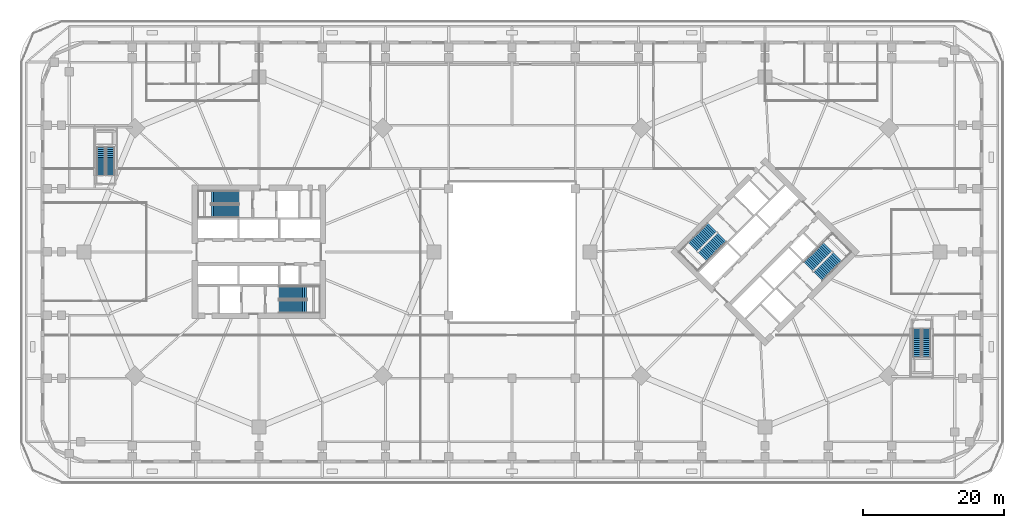
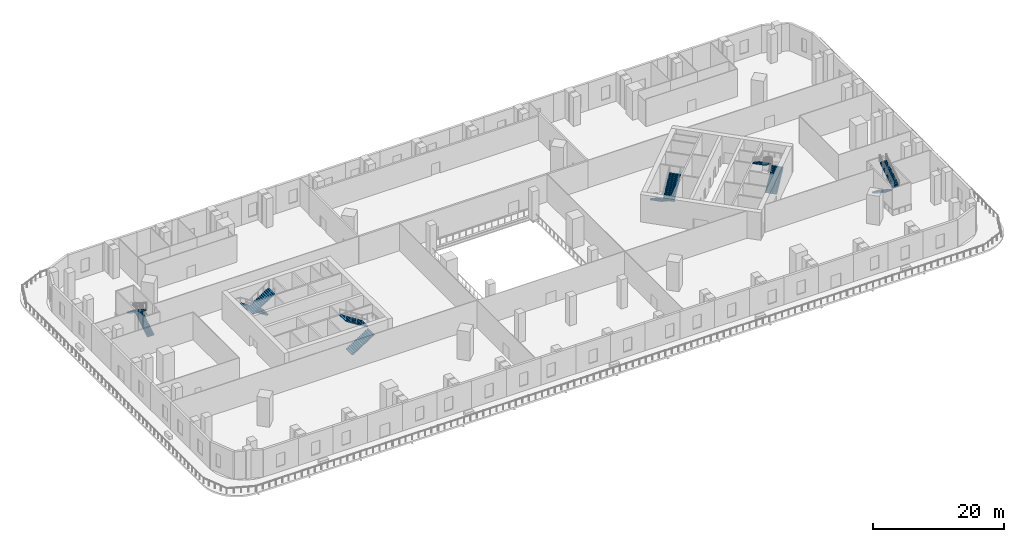
# One storey, part 12 of 19: 12 stair flights, 6 elements without a shape of their own.
"""IFC4 building model written with IfcOpenShell, lengths in metres."""

from ifc_helpers import new_model, si_unit, direction, frame, origin, place, context, subcontext, project, spatial, polyline, outline, extrude, material, type_object, element, aggregate, save


model = new_model("IFC4")

# Units and contexts
model_context = context("Model", 3, precision=1e-05, world=origin(), true_north=direction((0.0, 1.0)))
body_context = subcontext(model_context, "Body", "Model", "MODEL_VIEW")
ifc_project = project(units=[si_unit("LENGTHUNIT", "METRE"), si_unit("AREAUNIT", "SQUARE_METRE"), si_unit("VOLUMEUNIT", "CUBIC_METRE"), si_unit("PLANEANGLEUNIT", "RADIAN"), si_unit("MASSUNIT", "GRAM", prefix="KILO")], contexts=[model_context])

# Site, building, storey
site_placement = place(None, origin())
site = spatial("IfcSite", under=ifc_project, at=site_placement, CompositionType="ELEMENT")
building_placement = place(site_placement, origin())
building = spatial("IfcBuilding", under=site, at=building_placement, Name="Ogive Gate Towers", CompositionType="ELEMENT")
storey_placement = place(building_placement, frame((0.0, 0.0, 12.60009765625)))
storey = spatial("IfcBuildingStorey", under=building, at=storey_placement, Name="L02", CompositionType="ELEMENT", Elevation=12.60009765625)

# Stair, stair flights
ifc_material_1 = material(Name="Reinforced concrete C32/40", Category="concrete")
stair_type_1 = type_object("IfcStairType", Name="Escape stair 180 x 280", PredefinedType="HALF_TURN_STAIR", material=ifc_material_1)
stair_1_placement = place(storey_placement, origin())
stair_1 = element("IfcStair", 1, at=stair_1_placement, inside=storey, type_object=stair_type_1, Name="L02 escape stair", PredefinedType="HALF_TURN_STAIR")
stair_flight_type_1 = type_object("IfcStairFlightType", Name="Escape stair flight 180 x 280", PredefinedType="STRAIGHT", material=ifc_material_1)
stair_flight_1_placement = place(storey_placement, frame((-57.14990234375, 10.949951171875, 0.0), z_axis=(0.0, 0.0, 1.0), x_axis=(0.0, 1.0, 0.0)))
stair_flight_1 = element("IfcStairFlight", 2, at=stair_flight_1_placement, type_object=stair_flight_type_1, Name="PS1 flight 1", NumberOfRisers=15, NumberOfTreads=14, PredefinedType="STRAIGHT", RiserHeight=0.18, TreadLength=0.28, context=body_context, shape_type="SweptSolid", body=[
    extrude(outline(polyline([(0.0, 0.0), (0.0, 0.179931640625), (0.280029296875, 0.179931640625), (0.280029296875, 0.360107421875), (0.56005859375, 0.360107421875), (0.56005859375, 0.5400390625), (0.840087890625, 0.5400390625), (0.840087890625, 0.719970703125), (1.1201171875, 0.719970703125), (1.1201171875, 0.89990234375), (1.39990234375, 0.89990234375), (1.39990234375, 1.080078125), (1.679931640625, 1.080078125), (1.679931640625, 1.260009765625), (1.9599609375, 1.260009765625), (1.9599609375, 1.43994140625), (2.239990234375, 1.43994140625), (2.239990234375, 1.6201171875), (2.52001953125, 1.6201171875), (2.52001953125, 1.800048828125), (2.800048828125, 1.800048828125), (2.800048828125, 1.97998046875), (3.080078125, 1.97998046875), (3.080078125, 2.159912109375), (3.360107421875, 2.159912109375), (3.360107421875, 2.340087890625), (3.639892578125, 2.340087890625), (3.639892578125, 2.52001953125), (3.919921875, 2.52001953125), (3.919921875, 2.699951171875), (3.919921875, 2.341796875), (0.277099609375, 0.0), (0.0, 0.0)])), frame((0.0, 0.60009765625, 0.0), z_axis=(0.0, -1.0, 0.0), x_axis=(1.0, 0.0, 0.0)), (0.0, 0.0, 1.0), 1.199951171875),
])
stair_flight_2_placement = place(storey_placement, frame((-58.5, 14.8701171875, 2.699951171875), z_axis=(0.0, 0.0, 1.0), x_axis=(0.0, -1.0, 0.0)))
stair_flight_2 = element("IfcStairFlight", 3, at=stair_flight_2_placement, type_object=stair_flight_type_1, Name="PS1 flight 2", NumberOfRisers=15, NumberOfTreads=14, PredefinedType="STRAIGHT", RiserHeight=0.18, TreadLength=0.28, context=body_context, shape_type="SweptSolid", body=[
    extrude(outline(polyline([(0.0, 0.0), (0.0, 0.179931640625), (0.280029296875, 0.179931640625), (0.280029296875, 0.360107421875), (0.56005859375, 0.360107421875), (0.56005859375, 0.5400390625), (0.840087890625, 0.5400390625), (0.840087890625, 0.719970703125), (1.1201171875, 0.719970703125), (1.1201171875, 0.89990234375), (1.39990234375, 0.89990234375), (1.39990234375, 1.080078125), (1.679931640625, 1.080078125), (1.679931640625, 1.260009765625), (1.9599609375, 1.260009765625), (1.9599609375, 1.43994140625), (2.239990234375, 1.43994140625), (2.239990234375, 1.6201171875), (2.52001953125, 1.6201171875), (2.52001953125, 1.800048828125), (2.800048828125, 1.800048828125), (2.800048828125, 1.97998046875), (3.080078125, 1.97998046875), (3.080078125, 2.159912109375), (3.360107421875, 2.159912109375), (3.360107421875, 2.340087890625), (3.639892578125, 2.340087890625), (3.639892578125, 2.52001953125), (3.919921875, 2.52001953125), (3.919921875, 2.699951171875), (3.919921875, 2.341796875), (0.277099609375, 0.0), (0.0, 0.0)])), frame((0.0, 0.60009765625, 0.0), z_axis=(0.0, -1.0, 0.0), x_axis=(1.0, 0.0, 0.0)), (0.0, 0.0, 1.0), 1.199951171875),
])
aggregate(stair_1, [stair_flight_1, stair_flight_2])

stair_2_placement = place(storey_placement, origin())
stair_2 = element("IfcStair", 4, at=stair_2_placement, inside=storey, type_object=stair_type_1, Name="L02 escape stair", PredefinedType="HALF_TURN_STAIR")
stair_flight_3_placement = place(storey_placement, frame((57.60009765625, -10.949951171875, 0.0), z_axis=(0.0, 0.0, 1.0), x_axis=(0.0, -1.0, 0.0)))
stair_flight_3 = element("IfcStairFlight", 5, at=stair_flight_3_placement, type_object=stair_flight_type_1, Name="PS2 flight 1", NumberOfRisers=15, NumberOfTreads=14, PredefinedType="STRAIGHT", RiserHeight=0.18, TreadLength=0.28, context=body_context, shape_type="SweptSolid", body=[
    extrude(outline(polyline([(0.0, 0.0), (0.0, 0.179931640625), (0.280029296875, 0.179931640625), (0.280029296875, 0.360107421875), (0.56005859375, 0.360107421875), (0.56005859375, 0.5400390625), (0.840087890625, 0.5400390625), (0.840087890625, 0.719970703125), (1.1201171875, 0.719970703125), (1.1201171875, 0.89990234375), (1.39990234375, 0.89990234375), (1.39990234375, 1.080078125), (1.679931640625, 1.080078125), (1.679931640625, 1.260009765625), (1.9599609375, 1.260009765625), (1.9599609375, 1.43994140625), (2.239990234375, 1.43994140625), (2.239990234375, 1.6201171875), (2.52001953125, 1.6201171875), (2.52001953125, 1.800048828125), (2.800048828125, 1.800048828125), (2.800048828125, 1.97998046875), (3.080078125, 1.97998046875), (3.080078125, 2.159912109375), (3.360107421875, 2.159912109375), (3.360107421875, 2.340087890625), (3.639892578125, 2.340087890625), (3.639892578125, 2.52001953125), (3.919921875, 2.52001953125), (3.919921875, 2.699951171875), (3.919921875, 2.341796875), (0.277099609375, 0.0), (0.0, 0.0)])), frame((0.0, 0.60009765625, 0.0), z_axis=(0.0, -1.0, 0.0), x_axis=(1.0, 0.0, 0.0)), (0.0, 0.0, 1.0), 1.199951171875),
])
stair_flight_4_placement = place(storey_placement, frame((58.949951171875, -14.8701171875, 2.699951171875), z_axis=(0.0, 0.0, 1.0), x_axis=(0.0, 1.0, 0.0)))
stair_flight_4 = element("IfcStairFlight", 6, at=stair_flight_4_placement, type_object=stair_flight_type_1, Name="PS2 flight 2", NumberOfRisers=15, NumberOfTreads=14, PredefinedType="STRAIGHT", RiserHeight=0.18, TreadLength=0.28, context=body_context, shape_type="SweptSolid", body=[
    extrude(outline(polyline([(0.0, 0.0), (0.0, 0.179931640625), (0.280029296875, 0.179931640625), (0.280029296875, 0.360107421875), (0.56005859375, 0.360107421875), (0.56005859375, 0.5400390625), (0.840087890625, 0.5400390625), (0.840087890625, 0.719970703125), (1.1201171875, 0.719970703125), (1.1201171875, 0.89990234375), (1.39990234375, 0.89990234375), (1.39990234375, 1.080078125), (1.679931640625, 1.080078125), (1.679931640625, 1.260009765625), (1.9599609375, 1.260009765625), (1.9599609375, 1.43994140625), (2.239990234375, 1.43994140625), (2.239990234375, 1.6201171875), (2.52001953125, 1.6201171875), (2.52001953125, 1.800048828125), (2.800048828125, 1.800048828125), (2.800048828125, 1.97998046875), (3.080078125, 1.97998046875), (3.080078125, 2.159912109375), (3.360107421875, 2.159912109375), (3.360107421875, 2.340087890625), (3.639892578125, 2.340087890625), (3.639892578125, 2.52001953125), (3.919921875, 2.52001953125), (3.919921875, 2.699951171875), (3.919921875, 2.341796875), (0.277099609375, 0.0), (0.0, 0.0)])), frame((0.0, 0.60009765625, 0.0), z_axis=(0.0, -1.0, 0.0), x_axis=(1.0, 0.0, 0.0)), (0.0, 0.0, 1.0), 1.199951171875),
])
aggregate(stair_2, [stair_flight_3, stair_flight_4])

ifc_material_2 = material(Name="Concrete C40/50", Category="concrete")
stair_type_2 = type_object("IfcStairType", Name="Escape stair 1840 wide", PredefinedType="HALF_TURN_STAIR", material=ifc_material_2)
stair_3_placement = place(storey_placement, origin())
stair_3 = element("IfcStair", 7, at=stair_3_placement, inside=storey, type_object=stair_type_2, Name="L02 Escape stair 1", PredefinedType="HALF_TURN_STAIR")
stair_flight_type_2 = type_object("IfcStairFlightType", Name="Stair flight 1840 wide", PredefinedType="STRAIGHT", material=ifc_material_2)
stair_flight_5_placement = place(storey_placement, frame((-38.864990234375, 7.780029296875, 0.0), z_axis=(0.0, 0.0, 1.0), x_axis=(-1.0, 0.0, 0.0)))
stair_flight_5 = element("IfcStairFlight", 8, at=stair_flight_5_placement, type_object=stair_flight_type_2, Name="ST1 flight 1", NumberOfRisers=15, NumberOfTreads=14, PredefinedType="STRAIGHT", RiserHeight=0.18, TreadLength=0.28, context=body_context, shape_type="SweptSolid", body=[
    extrude(outline(polyline([(0.0, 0.0), (0.0, 0.179931640625), (0.280029296875, 0.179931640625), (0.280029296875, 0.360107421875), (0.56005859375, 0.360107421875), (0.56005859375, 0.5400390625), (0.840087890625, 0.5400390625), (0.840087890625, 0.719970703125), (1.1201171875, 0.719970703125), (1.1201171875, 0.89990234375), (1.39990234375, 0.89990234375), (1.39990234375, 1.080078125), (1.679931640625, 1.080078125), (1.679931640625, 1.260009765625), (1.9599609375, 1.260009765625), (1.9599609375, 1.43994140625), (2.239990234375, 1.43994140625), (2.239990234375, 1.6201171875), (2.52001953125, 1.6201171875), (2.52001953125, 1.800048828125), (2.800048828125, 1.800048828125), (2.800048828125, 1.97998046875), (3.080078125, 1.97998046875), (3.080078125, 2.159912109375), (3.360107421875, 2.159912109375), (3.360107421875, 2.340087890625), (3.639892578125, 2.340087890625), (3.639892578125, 2.52001953125), (3.919921875, 2.52001953125), (3.919921875, 2.699951171875), (3.919921875, 2.341796875), (0.277099609375, 0.0), (0.0, 0.0)])), frame((0.0, 0.919921875, 0.0), z_axis=(0.0, -1.0, 0.0), x_axis=(1.0, 0.0, 0.0)), (0.0, 0.0, 1.0), 1.840087890625),
])
stair_flight_6_placement = place(storey_placement, frame((-42.784912109375, 5.794921875, 2.699951171875), z_axis=(0.0, 0.0, 1.0), x_axis=(1.0, 0.0, 0.0)))
stair_flight_6 = element("IfcStairFlight", 9, at=stair_flight_6_placement, type_object=stair_flight_type_2, Name="ST1 flight 2", NumberOfRisers=15, NumberOfTreads=14, PredefinedType="STRAIGHT", RiserHeight=0.18, TreadLength=0.28, context=body_context, shape_type="SweptSolid", body=[
    extrude(outline(polyline([(0.0, 0.0), (0.0, 0.179931640625), (0.280029296875, 0.179931640625), (0.280029296875, 0.360107421875), (0.56005859375, 0.360107421875), (0.56005859375, 0.5400390625), (0.840087890625, 0.5400390625), (0.840087890625, 0.719970703125), (1.1201171875, 0.719970703125), (1.1201171875, 0.89990234375), (1.39990234375, 0.89990234375), (1.39990234375, 1.080078125), (1.679931640625, 1.080078125), (1.679931640625, 1.260009765625), (1.9599609375, 1.260009765625), (1.9599609375, 1.43994140625), (2.239990234375, 1.43994140625), (2.239990234375, 1.6201171875), (2.52001953125, 1.6201171875), (2.52001953125, 1.800048828125), (2.800048828125, 1.800048828125), (2.800048828125, 1.97998046875), (3.080078125, 1.97998046875), (3.080078125, 2.159912109375), (3.360107421875, 2.159912109375), (3.360107421875, 2.340087890625), (3.639892578125, 2.340087890625), (3.639892578125, 2.52001953125), (3.919921875, 2.52001953125), (3.919921875, 2.699951171875), (3.919921875, 2.341796875), (0.277099609375, 0.0), (0.0, 0.0)])), frame((0.0, 0.919921875, 0.0), z_axis=(0.0, -1.0, 0.0), x_axis=(1.0, 0.0, 0.0)), (0.0, 0.0, 1.0), 1.840087890625),
])
aggregate(stair_3, [stair_flight_5, stair_flight_6])

stair_4_placement = place(storey_placement, origin())
stair_4 = element("IfcStair", 10, at=stair_4_placement, inside=storey, type_object=stair_type_2, Name="L02 Escape stair 2", PredefinedType="HALF_TURN_STAIR")
stair_flight_7_placement = place(storey_placement, frame((-33.135009765625, -7.780029296875, 0.0), z_axis=(0.0, 0.0, 1.0), x_axis=(1.0, 0.0, 0.0)))
stair_flight_7 = element("IfcStairFlight", 11, at=stair_flight_7_placement, type_object=stair_flight_type_2, Name="ST2 flight 1", NumberOfRisers=15, NumberOfTreads=14, PredefinedType="STRAIGHT", RiserHeight=0.18, TreadLength=0.28, context=body_context, shape_type="SweptSolid", body=[
    extrude(outline(polyline([(0.0, 0.0), (0.0, 0.179931640625), (0.280029296875, 0.179931640625), (0.280029296875, 0.360107421875), (0.56005859375, 0.360107421875), (0.56005859375, 0.5400390625), (0.840087890625, 0.5400390625), (0.840087890625, 0.719970703125), (1.1201171875, 0.719970703125), (1.1201171875, 0.89990234375), (1.39990234375, 0.89990234375), (1.39990234375, 1.080078125), (1.679931640625, 1.080078125), (1.679931640625, 1.260009765625), (1.9599609375, 1.260009765625), (1.9599609375, 1.43994140625), (2.239990234375, 1.43994140625), (2.239990234375, 1.6201171875), (2.52001953125, 1.6201171875), (2.52001953125, 1.800048828125), (2.800048828125, 1.800048828125), (2.800048828125, 1.97998046875), (3.080078125, 1.97998046875), (3.080078125, 2.159912109375), (3.360107421875, 2.159912109375), (3.360107421875, 2.340087890625), (3.639892578125, 2.340087890625), (3.639892578125, 2.52001953125), (3.919921875, 2.52001953125), (3.919921875, 2.699951171875), (3.919921875, 2.341796875), (0.277099609375, 0.0), (0.0, 0.0)])), frame((0.0, 0.919921875, 0.0), z_axis=(0.0, -1.0, 0.0), x_axis=(1.0, 0.0, 0.0)), (0.0, 0.0, 1.0), 1.840087890625),
])
stair_flight_8_placement = place(storey_placement, frame((-29.215087890625, -5.794921875, 2.699951171875), z_axis=(0.0, 0.0, 1.0), x_axis=(-1.0, 0.0, 0.0)))
stair_flight_8 = element("IfcStairFlight", 12, at=stair_flight_8_placement, type_object=stair_flight_type_2, Name="ST2 flight 2", NumberOfRisers=15, NumberOfTreads=14, PredefinedType="STRAIGHT", RiserHeight=0.18, TreadLength=0.28, context=body_context, shape_type="SweptSolid", body=[
    extrude(outline(polyline([(0.0, 0.0), (0.0, 0.179931640625), (0.280029296875, 0.179931640625), (0.280029296875, 0.360107421875), (0.56005859375, 0.360107421875), (0.56005859375, 0.5400390625), (0.840087890625, 0.5400390625), (0.840087890625, 0.719970703125), (1.1201171875, 0.719970703125), (1.1201171875, 0.89990234375), (1.39990234375, 0.89990234375), (1.39990234375, 1.080078125), (1.679931640625, 1.080078125), (1.679931640625, 1.260009765625), (1.9599609375, 1.260009765625), (1.9599609375, 1.43994140625), (2.239990234375, 1.43994140625), (2.239990234375, 1.6201171875), (2.52001953125, 1.6201171875), (2.52001953125, 1.800048828125), (2.800048828125, 1.800048828125), (2.800048828125, 1.97998046875), (3.080078125, 1.97998046875), (3.080078125, 2.159912109375), (3.360107421875, 2.159912109375), (3.360107421875, 2.340087890625), (3.639892578125, 2.340087890625), (3.639892578125, 2.52001953125), (3.919921875, 2.52001953125), (3.919921875, 2.699951171875), (3.919921875, 2.341796875), (0.277099609375, 0.0), (0.0, 0.0)])), frame((0.0, 0.919921875, 0.0), z_axis=(0.0, -1.0, 0.0), x_axis=(1.0, 0.0, 0.0)), (0.0, 0.0, 1.0), 1.840087890625),
])
aggregate(stair_4, [stair_flight_7, stair_flight_8])

stair_5_placement = place(storey_placement, origin())
stair_5 = element("IfcStair", 13, at=stair_5_placement, inside=storey, type_object=stair_type_2, Name="L02 Escape stair 1", PredefinedType="HALF_TURN_STAIR")
stair_flight_9_placement = place(storey_placement, frame((28.472900390625, 3.475341796875, 0.0), z_axis=(0.0, 0.0, 1.0), x_axis=(-0.707106781187, -0.707106781187, 0.0)))
stair_flight_9 = element("IfcStairFlight", 14, at=stair_flight_9_placement, type_object=stair_flight_type_2, Name="ST1 flight 1", NumberOfRisers=15, NumberOfTreads=14, PredefinedType="STRAIGHT", RiserHeight=0.18, TreadLength=0.28, context=body_context, shape_type="SweptSolid", body=[
    extrude(outline(polyline([(0.0, 0.0), (0.0, 0.179931640625), (0.280029296875, 0.179931640625), (0.280029296875, 0.360107421875), (0.56005859375, 0.360107421875), (0.56005859375, 0.5400390625), (0.840087890625, 0.5400390625), (0.840087890625, 0.719970703125), (1.1201171875, 0.719970703125), (1.1201171875, 0.89990234375), (1.39990234375, 0.89990234375), (1.39990234375, 1.080078125), (1.679931640625, 1.080078125), (1.679931640625, 1.260009765625), (1.9599609375, 1.260009765625), (1.9599609375, 1.43994140625), (2.239990234375, 1.43994140625), (2.239990234375, 1.6201171875), (2.52001953125, 1.6201171875), (2.52001953125, 1.800048828125), (2.800048828125, 1.800048828125), (2.800048828125, 1.97998046875), (3.080078125, 1.97998046875), (3.080078125, 2.159912109375), (3.360107421875, 2.159912109375), (3.360107421875, 2.340087890625), (3.639892578125, 2.340087890625), (3.639892578125, 2.52001953125), (3.919921875, 2.52001953125), (3.919921875, 2.699951171875), (3.919921875, 2.341796875), (0.277099609375, 0.0), (0.0, 0.0)])), frame((0.0, 0.919921875, 0.0), z_axis=(0.0, -1.0, 0.0), x_axis=(1.0, 0.0, 0.0)), (0.0, 0.0, 1.0), 1.840087890625),
])
stair_flight_10_placement = place(storey_placement, frame((27.1044921875, -0.699951171875, 2.699951171875), z_axis=(0.0, 0.0, 1.0), x_axis=(0.707106781187, 0.707106781187, 0.0)))
stair_flight_10 = element("IfcStairFlight", 15, at=stair_flight_10_placement, type_object=stair_flight_type_2, Name="ST1 flight 2", NumberOfRisers=15, NumberOfTreads=14, PredefinedType="STRAIGHT", RiserHeight=0.18, TreadLength=0.28, context=body_context, shape_type="SweptSolid", body=[
    extrude(outline(polyline([(0.0, 0.0), (0.0, 0.179931640625), (0.280029296875, 0.179931640625), (0.280029296875, 0.360107421875), (0.56005859375, 0.360107421875), (0.56005859375, 0.5400390625), (0.840087890625, 0.5400390625), (0.840087890625, 0.719970703125), (1.1201171875, 0.719970703125), (1.1201171875, 0.89990234375), (1.39990234375, 0.89990234375), (1.39990234375, 1.080078125), (1.679931640625, 1.080078125), (1.679931640625, 1.260009765625), (1.9599609375, 1.260009765625), (1.9599609375, 1.43994140625), (2.239990234375, 1.43994140625), (2.239990234375, 1.6201171875), (2.52001953125, 1.6201171875), (2.52001953125, 1.800048828125), (2.800048828125, 1.800048828125), (2.800048828125, 1.97998046875), (3.080078125, 1.97998046875), (3.080078125, 2.159912109375), (3.360107421875, 2.159912109375), (3.360107421875, 2.340087890625), (3.639892578125, 2.340087890625), (3.639892578125, 2.52001953125), (3.919921875, 2.52001953125), (3.919921875, 2.699951171875), (3.919921875, 2.341796875), (0.277099609375, 0.0), (0.0, 0.0)])), frame((0.0, 0.919921875, 0.0), z_axis=(0.0, -1.0, 0.0), x_axis=(1.0, 0.0, 0.0)), (0.0, 0.0, 1.0), 1.840087890625),
])
aggregate(stair_5, [stair_flight_9, stair_flight_10])

stair_6_placement = place(storey_placement, origin())
stair_6 = element("IfcStair", 16, at=stair_6_placement, inside=storey, type_object=stair_type_2, Name="L02 Escape stair 2", PredefinedType="HALF_TURN_STAIR")
stair_flight_11_placement = place(storey_placement, frame((43.527099609375, -3.475341796875, 0.0), z_axis=(0.0, 0.0, 1.0), x_axis=(0.707106781187, 0.707106781187, 0.0)))
stair_flight_11 = element("IfcStairFlight", 17, at=stair_flight_11_placement, type_object=stair_flight_type_2, Name="ST2 flight 1", NumberOfRisers=15, NumberOfTreads=14, PredefinedType="STRAIGHT", RiserHeight=0.18, TreadLength=0.28, context=body_context, shape_type="SweptSolid", body=[
    extrude(outline(polyline([(0.0, 0.0), (0.0, 0.179931640625), (0.280029296875, 0.179931640625), (0.280029296875, 0.360107421875), (0.56005859375, 0.360107421875), (0.56005859375, 0.5400390625), (0.840087890625, 0.5400390625), (0.840087890625, 0.719970703125), (1.1201171875, 0.719970703125), (1.1201171875, 0.89990234375), (1.39990234375, 0.89990234375), (1.39990234375, 1.080078125), (1.679931640625, 1.080078125), (1.679931640625, 1.260009765625), (1.9599609375, 1.260009765625), (1.9599609375, 1.43994140625), (2.239990234375, 1.43994140625), (2.239990234375, 1.6201171875), (2.52001953125, 1.6201171875), (2.52001953125, 1.800048828125), (2.800048828125, 1.800048828125), (2.800048828125, 1.97998046875), (3.080078125, 1.97998046875), (3.080078125, 2.159912109375), (3.360107421875, 2.159912109375), (3.360107421875, 2.340087890625), (3.639892578125, 2.340087890625), (3.639892578125, 2.52001953125), (3.919921875, 2.52001953125), (3.919921875, 2.699951171875), (3.919921875, 2.341796875), (0.277099609375, 0.0), (0.0, 0.0)])), frame((0.0, 0.919921875, 0.0), z_axis=(0.0, -1.0, 0.0), x_axis=(1.0, 0.0, 0.0)), (0.0, 0.0, 1.0), 1.840087890625),
])
stair_flight_12_placement = place(storey_placement, frame((44.8955078125, 0.699951171875, 2.699951171875), z_axis=(0.0, 0.0, 1.0), x_axis=(-0.707106781187, -0.707106781187, 0.0)))
stair_flight_12 = element("IfcStairFlight", 18, at=stair_flight_12_placement, type_object=stair_flight_type_2, Name="ST2 flight 2", NumberOfRisers=15, NumberOfTreads=14, PredefinedType="STRAIGHT", RiserHeight=0.18, TreadLength=0.28, context=body_context, shape_type="SweptSolid", body=[
    extrude(outline(polyline([(0.0, 0.0), (0.0, 0.179931640625), (0.280029296875, 0.179931640625), (0.280029296875, 0.360107421875), (0.56005859375, 0.360107421875), (0.56005859375, 0.5400390625), (0.840087890625, 0.5400390625), (0.840087890625, 0.719970703125), (1.1201171875, 0.719970703125), (1.1201171875, 0.89990234375), (1.39990234375, 0.89990234375), (1.39990234375, 1.080078125), (1.679931640625, 1.080078125), (1.679931640625, 1.260009765625), (1.9599609375, 1.260009765625), (1.9599609375, 1.43994140625), (2.239990234375, 1.43994140625), (2.239990234375, 1.6201171875), (2.52001953125, 1.6201171875), (2.52001953125, 1.800048828125), (2.800048828125, 1.800048828125), (2.800048828125, 1.97998046875), (3.080078125, 1.97998046875), (3.080078125, 2.159912109375), (3.360107421875, 2.159912109375), (3.360107421875, 2.340087890625), (3.639892578125, 2.340087890625), (3.639892578125, 2.52001953125), (3.919921875, 2.52001953125), (3.919921875, 2.699951171875), (3.919921875, 2.341796875), (0.277099609375, 0.0), (0.0, 0.0)])), frame((0.0, 0.919921875, 0.0), z_axis=(0.0, -1.0, 0.0), x_axis=(1.0, 0.0, 0.0)), (0.0, 0.0, 1.0), 1.840087890625),
])
aggregate(stair_6, [stair_flight_11, stair_flight_12])

save(model, "model.ifc")
